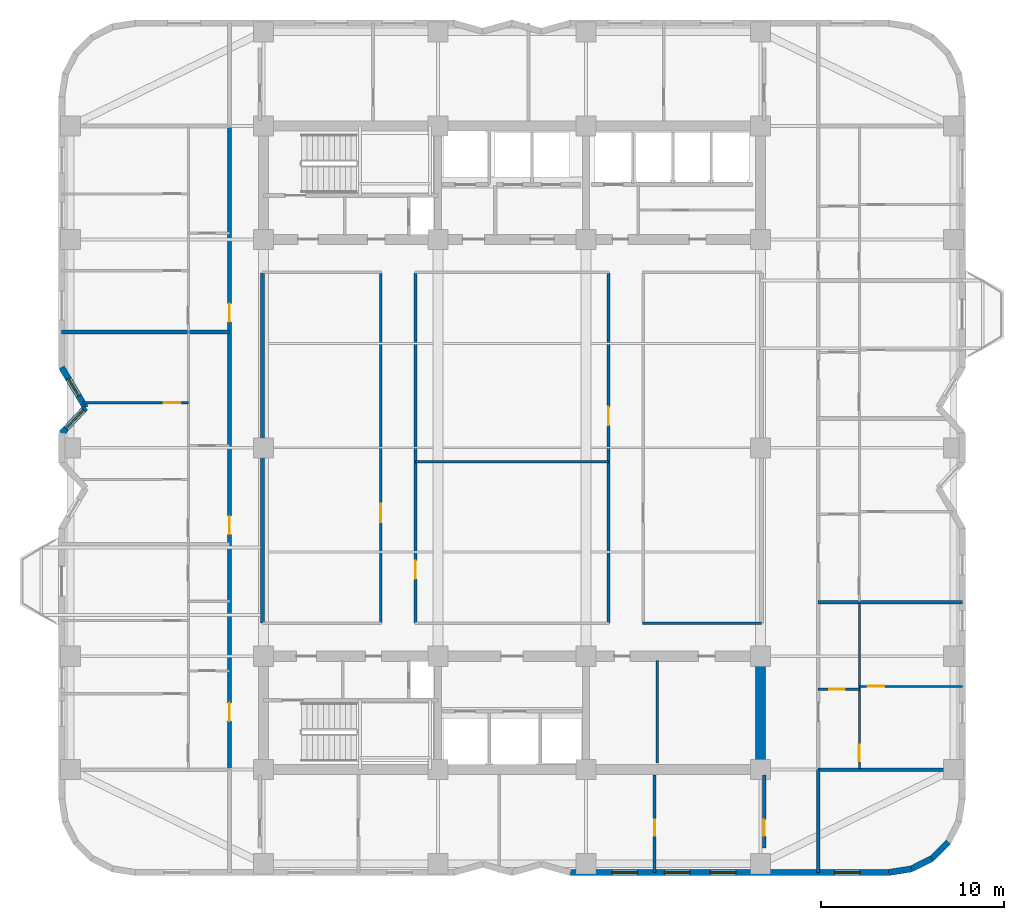
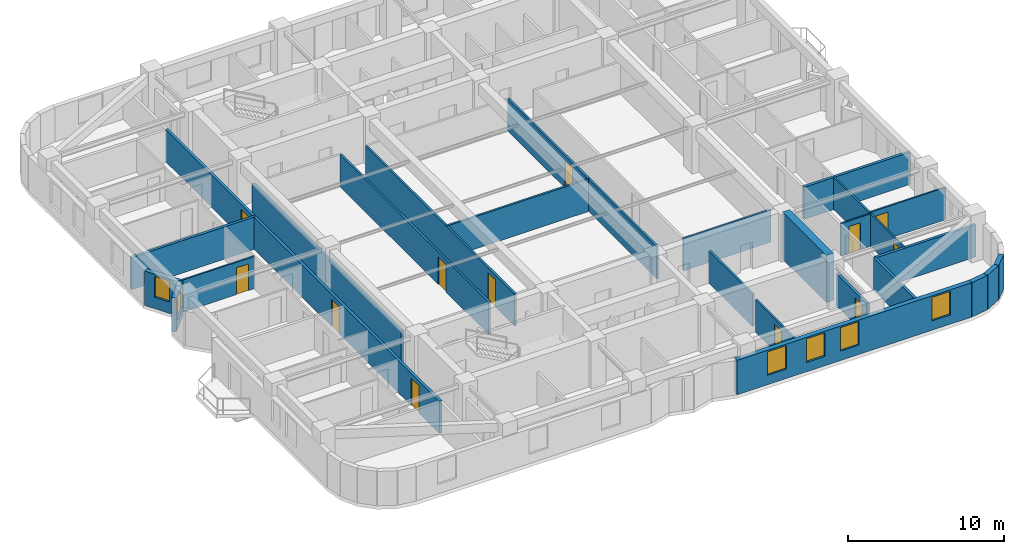
# One storey, part 4 of 10: 25 walls, 12 doors, 6 windows, 18 openings.
"""IFC4 building model written with IfcOpenShell, lengths in metres."""

from ifc_helpers import new_model, si_unit, direction, frame, frame_2d, origin, place, context, subcontext, project, spatial, rectangle, extrude, material, layer, layer_set, type_object, element, fill, save


model = new_model("IFC4")

# Units and contexts
model_context = context("Model", 3, precision=1e-05, world=origin(), true_north=direction((0.0, 1.0)))
body_context = subcontext(model_context, "Body", "Model", "MODEL_VIEW")
ifc_project = project(units=[si_unit("LENGTHUNIT", "METRE"), si_unit("AREAUNIT", "SQUARE_METRE"), si_unit("VOLUMEUNIT", "CUBIC_METRE"), si_unit("PLANEANGLEUNIT", "RADIAN"), si_unit("MASSUNIT", "GRAM", prefix="KILO")], contexts=[model_context])

# Site, building, storey
site_placement = place(None, origin())
site = spatial("IfcSite", under=ifc_project, at=site_placement, CompositionType="ELEMENT")
building_placement = place(site_placement, origin())
building = spatial("IfcBuilding", under=site, at=building_placement, Name="Svetorya Sky Lyceum", CompositionType="ELEMENT")
storey_placement = place(building_placement, frame((0.0, 0.0, 110.5)))
storey = spatial("IfcBuildingStorey", under=building, at=storey_placement, Name="L27", CompositionType="ELEMENT", Elevation=110.5)

# Wall
ifc_material_1 = material(Name="Concrete C60/75", Category="concrete")
ifc_layer_1 = layer(ifc_material_1, 0.550048828125)
ifc_layer_set_1 = layer_set([ifc_layer_1], Name="Concrete C60/75")
wall_type_1 = type_object("IfcWallType", Name="WL-CORE-550", PredefinedType="SHEAR", material=ifc_layer_set_1)
wall_1_placement = place(storey_placement, frame((52.800048828125, 10.875, 0.0), z_axis=(0.0, 0.0, 1.0), x_axis=(0.0, 1.0, 0.0)))
element("IfcWall", 1, at=wall_1_placement, inside=storey, type_object=wall_type_1, Name="L27 SC East Core Shear Wall", PredefinedType="SHEAR", context=body_context, shape_type="SweptSolid", body=[
    extrude(rectangle(XDim=5.64990234375, YDim=0.550048828125, at=frame_2d((2.824951171875, 0.0))), origin(), (0.0, 0.0, 1.0), 3.699951171875),
])

# Wall, openings, windows
ifc_material_2 = material(Name="Putilovo limestone rainscreen on autoclaved cellular masonry", Category="masonry")
ifc_layer_2 = layer(ifc_material_2, 0.340087890625)
ifc_layer_set_2 = layer_set([ifc_layer_2], Name="Putilovo limestone rainscreen on autoclaved cellular masonry")
wall_type_2 = type_object("IfcWallType", Name="WL-EXT-340", PredefinedType="SOLIDWALL", material=ifc_layer_set_2)
wall_2_placement = place(storey_placement, frame((42.39990234375, 4.969970703125, 0.0), z_axis=(0.0, 0.0, 1.0), x_axis=(1.0, 0.0, 0.0)))
wall_2 = element("IfcWall", 2, at=wall_2_placement, inside=storey, type_object=wall_type_2, Name="L27 Limestone Exterior Wall 11M", PredefinedType="SOLIDWALL", context=body_context, shape_type="SweptSolid", body=[
    extrude(rectangle(XDim=17.400146484375, YDim=0.340087890625, at=frame_2d((8.7001953125, 0.0))), origin(), (0.0, 0.0, 1.0), 2.699951171875),
])
opening_1_placement = place(wall_2_placement, frame((2.260009765625, 0.0, 0.72998046875)))
opening_1 = element("IfcOpeningElement", 3, at=opening_1_placement, cuts=wall_2, Name="Opening W-R2", PredefinedType="OPENING", context=body_context, shape_type="SweptSolid", body=[
    extrude(rectangle(XDim=1.39990234375, YDim=1.85009765625, at=frame_2d((0.699951171875, 0.925048828125))), frame((0.0, 0.179931640625, 0.0), z_axis=(0.0, -1.0, 0.0), x_axis=(1.0, 0.0, 0.0)), (0.0, 0.0, 1.0), 0.360107421875),
])
opening_2_placement = place(wall_2_placement, frame((5.1298828125, 0.0, 0.72998046875)))
opening_2 = element("IfcOpeningElement", 4, at=opening_2_placement, cuts=wall_2, Name="Opening W-R2", PredefinedType="OPENING", context=body_context, shape_type="SweptSolid", body=[
    extrude(rectangle(XDim=1.39990234375, YDim=1.85009765625, at=frame_2d((0.699951171875, 0.925048828125))), frame((0.0, 0.179931640625, 0.0), z_axis=(0.0, -1.0, 0.0), x_axis=(1.0, 0.0, 0.0)), (0.0, 0.0, 1.0), 0.360107421875),
])
opening_3_placement = place(wall_2_placement, frame((7.64990234375, 0.0, 0.72998046875)))
opening_3 = element("IfcOpeningElement", 5, at=opening_3_placement, cuts=wall_2, Name="Opening W-R2", PredefinedType="OPENING", context=body_context, shape_type="SweptSolid", body=[
    extrude(rectangle(XDim=1.39990234375, YDim=1.85009765625, at=frame_2d((0.699951171875, 0.925048828125))), frame((0.0, 0.179931640625, 0.0), z_axis=(0.0, -1.0, 0.0), x_axis=(1.0, 0.0, 0.0)), (0.0, 0.0, 1.0), 0.360107421875),
])
opening_4_placement = place(wall_2_placement, frame((14.43994140625, 0.0, 0.72998046875)))
opening_4 = element("IfcOpeningElement", 6, at=opening_4_placement, cuts=wall_2, Name="Opening W-R2", PredefinedType="OPENING", context=body_context, shape_type="SweptSolid", body=[
    extrude(rectangle(XDim=1.39990234375, YDim=1.85009765625, at=frame_2d((0.699951171875, 0.925048828125))), frame((0.0, 0.179931640625, 0.0), z_axis=(0.0, -1.0, 0.0), x_axis=(1.0, 0.0, 0.0)), (0.0, 0.0, 1.0), 0.360107421875),
])
ifc_material_3 = material(Name="Thermally broken aluminium frame with triple low-E glazing", Category="aluminium")
window_type_1 = type_object("IfcWindowType", Name="WN-RES-140", PartitioningType="SINGLE_PANEL", PredefinedType="WINDOW", material=ifc_material_3)
window_1_placement = place(opening_1_placement, origin())
window_1 = element("IfcWindow", 7, at=window_1_placement, inside=storey, type_object=window_type_1, Name="L27 Facade Window W-R2.11M.1", OverallHeight=1.85009765625, OverallWidth=1.39990234375, PartitioningType="SINGLE_PANEL", PredefinedType="WINDOW", context=body_context, shape_type="SweptSolid", body=[
    extrude(rectangle(XDim=1.39990234375, YDim=1.85009765625, at=frame_2d((0.699951171875, 0.925048828125))), frame((0.0, 0.030029296875, 0.0), z_axis=(0.0, -1.0, 0.0), x_axis=(1.0, 0.0, 0.0)), (0.0, 0.0, 1.0), 0.06005859375),
])
fill(opening_1, window_1)
window_2_placement = place(opening_2_placement, origin())
window_2 = element("IfcWindow", 8, at=window_2_placement, inside=storey, type_object=window_type_1, Name="L27 Facade Window W-R2.11M.2", OverallHeight=1.85009765625, OverallWidth=1.39990234375, PartitioningType="SINGLE_PANEL", PredefinedType="WINDOW", context=body_context, shape_type="SweptSolid", body=[
    extrude(rectangle(XDim=1.39990234375, YDim=1.85009765625, at=frame_2d((0.699951171875, 0.925048828125))), frame((0.0, 0.030029296875, 0.0), z_axis=(0.0, -1.0, 0.0), x_axis=(1.0, 0.0, 0.0)), (0.0, 0.0, 1.0), 0.06005859375),
])
fill(opening_2, window_2)
window_3_placement = place(opening_3_placement, origin())
window_3 = element("IfcWindow", 9, at=window_3_placement, inside=storey, type_object=window_type_1, Name="L27 Facade Window W-R2.11M.3", OverallHeight=1.85009765625, OverallWidth=1.39990234375, PartitioningType="SINGLE_PANEL", PredefinedType="WINDOW", context=body_context, shape_type="SweptSolid", body=[
    extrude(rectangle(XDim=1.39990234375, YDim=1.85009765625, at=frame_2d((0.699951171875, 0.925048828125))), frame((0.0, 0.030029296875, 0.0), z_axis=(0.0, -1.0, 0.0), x_axis=(1.0, 0.0, 0.0)), (0.0, 0.0, 1.0), 0.06005859375),
])
fill(opening_3, window_3)
window_4_placement = place(opening_4_placement, origin())
window_4 = element("IfcWindow", 10, at=window_4_placement, inside=storey, type_object=window_type_1, Name="L27 Facade Window W-R2.11M.4", OverallHeight=1.85009765625, OverallWidth=1.39990234375, PartitioningType="SINGLE_PANEL", PredefinedType="WINDOW", context=body_context, shape_type="SweptSolid", body=[
    extrude(rectangle(XDim=1.39990234375, YDim=1.85009765625, at=frame_2d((0.699951171875, 0.925048828125))), frame((0.0, 0.030029296875, 0.0), z_axis=(0.0, -1.0, 0.0), x_axis=(1.0, 0.0, 0.0)), (0.0, 0.0, 1.0), 0.06005859375),
])
fill(opening_4, window_4)

# Walls
wall_3_placement = place(storey_placement, frame((59.800048828125, 4.969970703125, 0.0), z_axis=(0.0, 0.0, 1.0), x_axis=(0.987685918112, 0.15644975923, 0.0)))
element("IfcWall", 11, at=wall_3_placement, inside=storey, type_object=wall_type_2, Name="L27 Limestone Exterior Wall 12M", PredefinedType="SOLIDWALL", context=body_context, shape_type="SweptSolid", body=[
    extrude(rectangle(XDim=1.260986328125, YDim=0.340087890625, at=frame_2d((0.63037109375, 0.0))), origin(), (0.0, 0.0, 1.0), 2.699951171875),
])
for number, where, z_axis, x_axis, name in (
    (12, (61.04541015625, 5.167236328125, 0.0), (0.0, 0.0, 1.0), (0.890953769915, 0.454094020963, 0.0), "L27 Limestone Exterior Wall 13M"),
    (13, (62.168701171875, 5.73974609375, 0.0), (0.0, 0.0, 1.0), (0.707203598708, 0.707009950407, 0.0), "L27 Limestone Exterior Wall 14M"),
):
    element("IfcWall", number, at=place(storey_placement, frame(where, z_axis=z_axis, x_axis=x_axis)), inside=storey, type_object=wall_type_2, Name=name, PredefinedType="SOLIDWALL", context=body_context, shape_type="SweptSolid", body=[
        extrude(rectangle(XDim=1.2607421875, YDim=0.340087890625, at=frame_2d((0.63037109375, 0.0))), origin(), (0.0, 0.0, 1.0), 2.699951171875),
    ])

# Wall, opening, window
wall_4_placement = place(storey_placement, frame((14.570068359375, 32.60009765625, 0.0), z_axis=(0.0, 0.0, 1.0), x_axis=(0.508710000703, -0.860937939218, 0.0)))
wall_4 = element("IfcWall", 14, at=wall_4_placement, inside=storey, type_object=wall_type_2, Name="L27 Limestone Exterior Wall 41M", PredefinedType="SOLIDWALL", context=body_context, shape_type="SweptSolid", body=[
    extrude(rectangle(XDim=2.5556640625, YDim=0.340087890625, at=frame_2d((1.27783203125, 0.0))), origin(), (0.0, 0.0, 1.0), 2.699951171875),
])
opening_5_placement = place(wall_4_placement, frame((0.727783203125, 0.0, 0.889892578125)))
opening_5 = element("IfcOpeningElement", 15, at=opening_5_placement, cuts=wall_4, Name="Opening W-R3", PredefinedType="OPENING", context=body_context, shape_type="SweptSolid", body=[
    extrude(rectangle(XDim=1.10009765625, YDim=1.64990234375, at=frame_2d((0.550048828125, 0.824951171875))), frame((0.0, 0.179931640625, 0.0), z_axis=(0.0, -1.0, 0.0), x_axis=(1.0, 0.0, 0.0)), (0.0, 0.0, 1.0), 0.360107421875),
])
window_type_2 = type_object("IfcWindowType", Name="WN-RES-110", PartitioningType="SINGLE_PANEL", PredefinedType="WINDOW", material=ifc_material_3)
window_5_placement = place(opening_5_placement, origin())
window_5 = element("IfcWindow", 16, at=window_5_placement, inside=storey, type_object=window_type_2, Name="L27 Facade Window W-R3.41M.1", OverallHeight=1.64990234375, OverallWidth=1.10009765625, PartitioningType="SINGLE_PANEL", PredefinedType="WINDOW", context=body_context, shape_type="SweptSolid", body=[
    extrude(rectangle(XDim=1.10009765625, YDim=1.64990234375, at=frame_2d((0.550048828125, 0.824951171875))), frame((0.0, 0.030029296875, 0.0), z_axis=(0.0, -1.0, 0.0), x_axis=(1.0, 0.0, 0.0)), (0.0, 0.0, 1.0), 0.06005859375),
])
fill(opening_5, window_5)

wall_5_placement = place(storey_placement, frame((15.8701171875, 30.39990234375, 0.0), z_axis=(0.0, 0.0, 1.0), x_axis=(-0.68049031116, -0.732757078722, 0.0)))
wall_5 = element("IfcWall", 17, at=wall_5_placement, inside=storey, type_object=wall_type_2, Name="L27 Limestone Exterior Wall 42M", PredefinedType="SOLIDWALL", context=body_context, shape_type="SweptSolid", body=[
    extrude(rectangle(XDim=1.910400390625, YDim=0.340087890625, at=frame_2d((0.955078125, 0.0))), origin(), (0.0, 0.0, 1.0), 2.699951171875),
])
opening_6_placement = place(wall_5_placement, frame((0.159912109375, 0.0, 0.68994140625)))
opening_6 = element("IfcOpeningElement", 18, at=opening_6_placement, cuts=wall_5, Name="Opening W-R2", PredefinedType="OPENING", context=body_context, shape_type="SweptSolid", body=[
    extrude(rectangle(XDim=1.39990234375, YDim=1.85009765625, at=frame_2d((0.699951171875, 0.925048828125))), frame((0.0, 0.179931640625, 0.0), z_axis=(0.0, -1.0, 0.0), x_axis=(1.0, 0.0, 0.0)), (0.0, 0.0, 1.0), 0.360107421875),
])
window_6_placement = place(opening_6_placement, origin())
window_6 = element("IfcWindow", 19, at=window_6_placement, inside=storey, type_object=window_type_1, Name="L27 Facade Window W-R2.42M.1", OverallHeight=1.85009765625, OverallWidth=1.39990234375, PartitioningType="SINGLE_PANEL", PredefinedType="WINDOW", context=body_context, shape_type="SweptSolid", body=[
    extrude(rectangle(XDim=1.39990234375, YDim=1.85009765625, at=frame_2d((0.699951171875, 0.925048828125))), frame((0.0, 0.030029296875, 0.0), z_axis=(0.0, -1.0, 0.0), x_axis=(1.0, 0.0, 0.0)), (0.0, 0.0, 1.0), 0.06005859375),
])
fill(opening_6, window_6)

# Wall, opening, door
ifc_material_4 = material(Name="Twin-stud galvanized framing with double fireboard", Category="gypsum")
ifc_layer_3 = layer(ifc_material_4, 0.1201171875)
ifc_layer_set_3 = layer_set([ifc_layer_3], Name="Twin-stud galvanized framing with double fireboard")
wall_type_3 = type_object("IfcWallType", Name="WL-PART-120", PredefinedType="PARTITIONING", material=ifc_layer_set_3)
wall_6_placement = place(storey_placement, frame((15.71044921875, 30.669921875, 0.0), z_axis=(0.0, 0.0, 1.0), x_axis=(1.0, 0.0, 0.0)))
wall_6 = element("IfcWall", 20, at=wall_6_placement, inside=storey, type_object=wall_type_3, Name="L27 Interior Partition W2-WL2", PredefinedType="PARTITIONING", context=body_context, shape_type="SweptSolid", body=[
    extrude(rectangle(XDim=5.78955078125, YDim=0.1201171875, at=frame_2d((2.894775390625, 0.0))), origin(), (0.0, 0.0, 1.0), 2.530029296875),
])
opening_7_placement = place(wall_6_placement, frame((4.439453125, 0.0, 0.0)))
opening_7 = element("IfcOpeningElement", 21, at=opening_7_placement, cuts=wall_6, Name="Opening D-RM1", PredefinedType="OPENING", context=body_context, shape_type="SweptSolid", body=[
    extrude(rectangle(XDim=0.89990234375, YDim=2.10009765625, at=frame_2d((0.449951171875, 1.050048828125))), frame((0.0, 0.070068359375, 0.0), z_axis=(0.0, -1.0, 0.0), x_axis=(1.0, 0.0, 0.0)), (0.0, 0.0, 1.0), 0.14013671875),
])
ifc_material_5 = material(Name="Lacquered birch veneer internal door")
door_type_1 = type_object("IfcDoorType", Name="DR-INT-900", OperationType="SINGLE_SWING_LEFT", PredefinedType="DOOR", material=ifc_material_5)
door_1_placement = place(opening_7_placement, origin())
door_1 = element("IfcDoor", 22, at=door_1_placement, inside=storey, type_object=door_type_1, Name="Apartment W2 Bedroom 2 Door", OperationType="SINGLE_SWING_LEFT", OverallHeight=2.10009765625, OverallWidth=0.89990234375, PredefinedType="DOOR", context=body_context, shape_type="SweptSolid", body=[
    extrude(rectangle(XDim=0.89990234375, YDim=2.10009765625, at=frame_2d((0.449951171875, 1.050048828125))), frame((0.0, 0.02490234375, 0.0), z_axis=(0.0, -1.0, 0.0), x_axis=(1.0, 0.0, 0.0)), (0.0, 0.0, 1.0), 0.050048828125),
])
fill(opening_7, door_1)

wall_7_placement = place(storey_placement, frame((55.949951171875, 14.989990234375, 0.0), z_axis=(0.0, 0.0, 1.0), x_axis=(1.0, 0.0, 0.0)))
wall_7 = element("IfcWall", 23, at=wall_7_placement, inside=storey, type_object=wall_type_3, Name="L27 Interior Partition E1-WH1", PredefinedType="PARTITIONING", context=body_context, shape_type="SweptSolid", body=[
    extrude(rectangle(XDim=2.25, YDim=0.1201171875, at=frame_2d((1.125, 0.0))), origin(), (0.0, 0.0, 1.0), 2.530029296875),
])
opening_8_placement = place(wall_7_placement, frame((0.60009765625, 0.0, 0.0)))
opening_8 = element("IfcOpeningElement", 24, at=opening_8_placement, cuts=wall_7, Name="Opening D-BT1", PredefinedType="OPENING", context=body_context, shape_type="SweptSolid", body=[
    extrude(rectangle(XDim=0.85009765625, YDim=2.10009765625, at=frame_2d((0.425048828125, 1.050048828125))), frame((0.0, 0.070068359375, 0.0), z_axis=(0.0, -1.0, 0.0), x_axis=(1.0, 0.0, 0.0)), (0.0, 0.0, 1.0), 0.14013671875),
])
ifc_material_6 = material(Name="Moisture-resistant laminate bathroom door")
door_type_2 = type_object("IfcDoorType", Name="DR-WET-850", OperationType="SINGLE_SWING_LEFT", PredefinedType="DOOR", material=ifc_material_6)
door_2_placement = place(opening_8_placement, origin())
door_2 = element("IfcDoor", 25, at=door_2_placement, inside=storey, type_object=door_type_2, Name="Apartment E1 Bathroom Door", OperationType="SINGLE_SWING_RIGHT", OverallHeight=2.10009765625, OverallWidth=0.85009765625, PredefinedType="DOOR", context=body_context, shape_type="SweptSolid", body=[
    extrude(rectangle(XDim=0.85009765625, YDim=2.10009765625, at=frame_2d((0.425048828125, 1.050048828125))), frame((0.0, 0.02490234375, 0.0), z_axis=(0.0, -1.0, 0.0), x_axis=(1.0, 0.0, 0.0)), (0.0, 0.0, 1.0), 0.050048828125),
])
fill(opening_8, door_2)

wall_8_placement = place(storey_placement, frame((58.199951171875, 15.14990234375, 0.0), z_axis=(0.0, 0.0, 1.0), x_axis=(1.0, 0.0, 0.0)))
wall_8 = element("IfcWall", 26, at=wall_8_placement, inside=storey, type_object=wall_type_3, Name="L27 Interior Partition E1-WL1", PredefinedType="PARTITIONING", context=body_context, shape_type="SweptSolid", body=[
    extrude(rectangle(XDim=5.630126953125, YDim=0.1201171875, at=frame_2d((2.81494140625, 0.0))), origin(), (0.0, 0.0, 1.0), 2.530029296875),
])
opening_9_placement = place(wall_8_placement, frame((0.449951171875, 0.0, 0.0)))
opening_9 = element("IfcOpeningElement", 27, at=opening_9_placement, cuts=wall_8, Name="Opening D-RM1", PredefinedType="OPENING", context=body_context, shape_type="SweptSolid", body=[
    extrude(rectangle(XDim=0.89990234375, YDim=2.10009765625, at=frame_2d((0.449951171875, 1.050048828125))), frame((0.0, 0.070068359375, 0.0), z_axis=(0.0, -1.0, 0.0), x_axis=(1.0, 0.0, 0.0)), (0.0, 0.0, 1.0), 0.14013671875),
])
door_3_placement = place(opening_9_placement, origin())
door_3 = element("IfcDoor", 28, at=door_3_placement, inside=storey, type_object=door_type_1, Name="Apartment E1 Bedroom 1 Door", OperationType="SINGLE_SWING_RIGHT", OverallHeight=2.10009765625, OverallWidth=0.89990234375, PredefinedType="DOOR", context=body_context, shape_type="SweptSolid", body=[
    extrude(rectangle(XDim=0.89990234375, YDim=2.10009765625, at=frame_2d((0.449951171875, 1.050048828125))), frame((0.0, 0.02490234375, 0.0), z_axis=(0.0, -1.0, 0.0), x_axis=(1.0, 0.0, 0.0)), (0.0, 0.0, 1.0), 0.050048828125),
])
fill(opening_9, door_3)

wall_9_placement = place(storey_placement, frame((58.199951171875, 10.639892578125, 0.0), z_axis=(0.0, 0.0, 1.0), x_axis=(0.0, 1.0, 0.0)))
wall_9 = element("IfcWall", 29, at=wall_9_placement, inside=storey, type_object=wall_type_3, Name="L27 Interior Partition E1-WV", PredefinedType="PARTITIONING", context=body_context, shape_type="SweptSolid", body=[
    extrude(rectangle(XDim=9.072021484375, YDim=0.1201171875, at=frame_2d((4.5361328125, 0.0))), origin(), (0.0, 0.0, 1.0), 2.530029296875),
])
opening_10_placement = place(wall_9_placement, frame((0.409912109375, 0.0, 0.0)))
opening_10 = element("IfcOpeningElement", 30, at=opening_10_placement, cuts=wall_9, Name="Opening D-RM1", PredefinedType="OPENING", context=body_context, shape_type="SweptSolid", body=[
    extrude(rectangle(XDim=0.89990234375, YDim=2.10009765625, at=frame_2d((0.449951171875, 1.050048828125))), frame((0.0, 0.070068359375, 0.0), z_axis=(0.0, -1.0, 0.0), x_axis=(1.0, 0.0, 0.0)), (0.0, 0.0, 1.0), 0.14013671875),
])
door_4_placement = place(opening_10_placement, origin())
door_4 = element("IfcDoor", 31, at=door_4_placement, inside=storey, type_object=door_type_1, Name="Apartment E1 Living Door", OperationType="SINGLE_SWING_LEFT", OverallHeight=2.10009765625, OverallWidth=0.89990234375, PredefinedType="DOOR", context=body_context, shape_type="SweptSolid", body=[
    extrude(rectangle(XDim=0.89990234375, YDim=2.10009765625, at=frame_2d((0.449951171875, 1.050048828125))), frame((0.0, 0.02490234375, 0.0), z_axis=(0.0, -1.0, 0.0), x_axis=(1.0, 0.0, 0.0)), (0.0, 0.0, 1.0), 0.050048828125),
])
fill(opening_10, door_4)

# Walls
ifc_material_7 = material(Name="Autoclaved cellular masonry blockwork with acoustic render", Category="masonry")
ifc_layer_4 = layer(ifc_material_7, 0.14990234375)
ifc_layer_set_4 = layer_set([ifc_layer_4], Name="Autoclaved cellular masonry blockwork with acoustic render")
wall_type_4 = type_object("IfcWallType", Name="WL-PART-150", PredefinedType="PARTITIONING", material=ifc_layer_set_4)
wall_10_placement = place(storey_placement, frame((47.14990234375, 10.949951171875, 0.0), z_axis=(0.0, 0.0, 1.0), x_axis=(0.0, 1.0, 0.0)))
element("IfcWall", 32, at=wall_10_placement, inside=storey, type_object=wall_type_4, Name="L27 Interior Partition SC-LV7-VA", PredefinedType="PARTITIONING", context=body_context, shape_type="SweptSolid", body=[
    extrude(rectangle(XDim=5.630126953125, YDim=0.14990234375, at=frame_2d((2.81494140625, 0.0))), origin(), (0.0, 0.0, 1.0), 2.530029296875),
])
wall_11_placement = place(storey_placement, frame((46.35009765625, 18.60009765625, 0.0), z_axis=(0.0, 0.0, 1.0), x_axis=(1.0, 0.0, 0.0)))
element("IfcWall", 33, at=wall_11_placement, inside=storey, type_object=wall_type_4, Name="L27 Interior Partition RL-CS-E", PredefinedType="PARTITIONING", context=body_context, shape_type="SweptSolid", body=[
    extrude(rectangle(XDim=6.5, YDim=0.14990234375, at=frame_2d((3.25, 0.0))), origin(), (0.0, 0.0, 1.0), 2.530029296875),
])
wall_12_placement = place(storey_placement, frame((33.919921875, 27.434326171875, 0.0), z_axis=(0.0, 0.0, 1.0), x_axis=(1.0, 0.0, 0.0)))
element("IfcWall", 34, at=wall_12_placement, inside=storey, type_object=wall_type_4, Name="L27 Interior Partition ISL-HM0", PredefinedType="PARTITIONING", context=body_context, shape_type="SweptSolid", body=[
    extrude(rectangle(XDim=10.56005859375, YDim=0.14990234375, at=frame_2d((5.280029296875, 0.0))), origin(), (0.0, 0.0, 1.0), 2.530029296875),
])

# Wall, opening, door
wall_13_placement = place(storey_placement, frame((32.02001953125, 18.6298828125, 0.0), z_axis=(0.0, 0.0, 1.0), x_axis=(0.0, 1.0, 0.0)))
wall_13 = element("IfcWall", 35, at=wall_13_placement, inside=storey, type_object=wall_type_4, Name="L27 Interior Partition ISL-WW", PredefinedType="PARTITIONING", context=body_context, shape_type="SweptSolid", body=[
    extrude(rectangle(XDim=19.14013671875, YDim=0.14990234375, at=frame_2d((9.570068359375, 0.0))), origin(), (0.0, 0.0, 1.0), 2.530029296875),
])
opening_11_placement = place(wall_13_placement, frame((5.5, 0.0, 0.0)))
opening_11 = element("IfcOpeningElement", 36, at=opening_11_placement, cuts=wall_13, Name="Opening D-RM2", PredefinedType="OPENING", context=body_context, shape_type="SweptSolid", body=[
    extrude(rectangle(XDim=1.0, YDim=2.14990234375, at=frame_2d((0.5, 1.074951171875))), frame((0.0, 0.0849609375, 0.0), z_axis=(0.0, -1.0, 0.0), x_axis=(1.0, 0.0, 0.0)), (0.0, 0.0, 1.0), 0.169921875),
])
ifc_material_8 = material(Name="Solid-core oak acoustic room door")
door_type_3 = type_object("IfcDoorType", Name="DR-INT-1000", OperationType="SINGLE_SWING_LEFT", PredefinedType="DOOR", material=ifc_material_8)
door_5_placement = place(opening_11_placement, origin())
door_5 = element("IfcDoor", 37, at=door_5_placement, inside=storey, type_object=door_type_3, Name="L27 West Office Door", OperationType="SINGLE_SWING_LEFT", OverallHeight=2.14990234375, OverallWidth=1.0, PredefinedType="DOOR", context=body_context, shape_type="SweptSolid", body=[
    extrude(rectangle(XDim=1.0, YDim=2.14990234375, at=frame_2d((0.5, 1.074951171875))), frame((0.0, 0.02490234375, 0.0), z_axis=(0.0, -1.0, 0.0), x_axis=(1.0, 0.0, 0.0)), (0.0, 0.0, 1.0), 0.050048828125),
])
fill(opening_11, door_5)

wall_14_placement = place(storey_placement, frame((33.919921875, 18.6298828125, 0.0), z_axis=(0.0, 0.0, 1.0), x_axis=(0.0, 1.0, 0.0)))
wall_14 = element("IfcWall", 38, at=wall_14_placement, inside=storey, type_object=wall_type_4, Name="L27 Interior Partition ISL-WE", PredefinedType="PARTITIONING", context=body_context, shape_type="SweptSolid", body=[
    extrude(rectangle(XDim=19.14013671875, YDim=0.14990234375, at=frame_2d((9.570068359375, 0.0))), origin(), (0.0, 0.0, 1.0), 2.530029296875),
])
opening_12_placement = place(wall_14_placement, frame((2.39990234375, 0.0, 0.0)))
opening_12 = element("IfcOpeningElement", 39, at=opening_12_placement, cuts=wall_14, Name="Opening D-RM2", PredefinedType="OPENING", context=body_context, shape_type="SweptSolid", body=[
    extrude(rectangle(XDim=1.0, YDim=2.14990234375, at=frame_2d((0.5, 1.074951171875))), frame((0.0, 0.0849609375, 0.0), z_axis=(0.0, -1.0, 0.0), x_axis=(1.0, 0.0, 0.0)), (0.0, 0.0, 1.0), 0.169921875),
])
door_6_placement = place(opening_12_placement, origin())
door_6 = element("IfcDoor", 40, at=door_6_placement, inside=storey, type_object=door_type_3, Name="L27 Seminar Door", OperationType="SINGLE_SWING_RIGHT", OverallHeight=2.14990234375, OverallWidth=1.0, PredefinedType="DOOR", context=body_context, shape_type="SweptSolid", body=[
    extrude(rectangle(XDim=1.0, YDim=2.14990234375, at=frame_2d((0.5, 1.074951171875))), frame((0.0, 0.02490234375, 0.0), z_axis=(0.0, -1.0, 0.0), x_axis=(1.0, 0.0, 0.0)), (0.0, 0.0, 1.0), 0.050048828125),
])
fill(opening_12, door_6)

wall_15_placement = place(storey_placement, frame((44.47998046875, 18.6298828125, 0.0), z_axis=(0.0, 0.0, 1.0), x_axis=(0.0, 1.0, 0.0)))
wall_15 = element("IfcWall", 41, at=wall_15_placement, inside=storey, type_object=wall_type_4, Name="L27 Interior Partition ISL-EW", PredefinedType="PARTITIONING", context=body_context, shape_type="SweptSolid", body=[
    extrude(rectangle(XDim=19.14013671875, YDim=0.14990234375, at=frame_2d((9.570068359375, 0.0))), origin(), (0.0, 0.0, 1.0), 2.530029296875),
])
opening_13_placement = place(wall_15_placement, frame((10.804443359375, 0.0, 0.0)))
opening_13 = element("IfcOpeningElement", 42, at=opening_13_placement, cuts=wall_15, Name="Opening D-RM2", PredefinedType="OPENING", context=body_context, shape_type="SweptSolid", body=[
    extrude(rectangle(XDim=1.0, YDim=2.14990234375, at=frame_2d((0.5, 1.074951171875))), frame((0.0, 0.0849609375, 0.0), z_axis=(0.0, -1.0, 0.0), x_axis=(1.0, 0.0, 0.0)), (0.0, 0.0, 1.0), 0.169921875),
])
door_7_placement = place(opening_13_placement, origin())
door_7 = element("IfcDoor", 43, at=door_7_placement, inside=storey, type_object=door_type_3, Name="L27 Recreation Door", OperationType="SINGLE_SWING_LEFT", OverallHeight=2.14990234375, OverallWidth=1.0, PredefinedType="DOOR", context=body_context, shape_type="SweptSolid", body=[
    extrude(rectangle(XDim=1.0, YDim=2.14990234375, at=frame_2d((0.5, 1.074951171875))), frame((0.0, 0.02490234375, 0.0), z_axis=(0.0, -1.0, 0.0), x_axis=(1.0, 0.0, 0.0)), (0.0, 0.0, 1.0), 0.050048828125),
])
fill(opening_13, door_7)

wall_16_placement = place(storey_placement, frame((47.0, 4.969970703125, 0.0), z_axis=(0.0, 0.0, 1.0), x_axis=(0.0, 1.0, 0.0)))
wall_16 = element("IfcWall", 44, at=wall_16_placement, inside=storey, type_object=wall_type_4, Name="L27 Interior Partition S4-D3", PredefinedType="PARTITIONING", context=body_context, shape_type="SweptSolid", body=[
    extrude(rectangle(XDim=5.330078125, YDim=0.14990234375, at=frame_2d((2.6650390625, 0.0))), origin(), (0.0, 0.0, 1.0), 2.530029296875),
])
opening_14_placement = place(wall_16_placement, frame((2.0, 0.0, 0.0)))
opening_14 = element("IfcOpeningElement", 45, at=opening_14_placement, cuts=wall_16, Name="Opening D-RM1", PredefinedType="OPENING", context=body_context, shape_type="SweptSolid", body=[
    extrude(rectangle(XDim=0.89990234375, YDim=2.10009765625, at=frame_2d((0.449951171875, 1.050048828125))), frame((0.0, 0.0849609375, 0.0), z_axis=(0.0, -1.0, 0.0), x_axis=(1.0, 0.0, 0.0)), (0.0, 0.0, 1.0), 0.169921875),
])
door_8_placement = place(opening_14_placement, origin())
door_8 = element("IfcDoor", 46, at=door_8_placement, inside=storey, type_object=door_type_1, Name="L27 South Suite Door 3", OperationType="SINGLE_SWING_LEFT", OverallHeight=2.10009765625, OverallWidth=0.89990234375, PredefinedType="DOOR", context=body_context, shape_type="SweptSolid", body=[
    extrude(rectangle(XDim=0.89990234375, YDim=2.10009765625, at=frame_2d((0.449951171875, 1.050048828125))), frame((0.0, 0.02490234375, 0.0), z_axis=(0.0, -1.0, 0.0), x_axis=(1.0, 0.0, 0.0)), (0.0, 0.0, 1.0), 0.050048828125),
])
fill(opening_14, door_8)

# Walls
ifc_material_9 = material(Name="Autoclaved cellular masonry blockwork with gypsum plaster", Category="masonry")
ifc_layer_5 = layer(ifc_material_9, 0.199951171875)
ifc_layer_set_5 = layer_set([ifc_layer_5], Name="Autoclaved cellular masonry blockwork with gypsum plaster")
wall_type_5 = type_object("IfcWallType", Name="WL-PART-200", PredefinedType="PARTITIONING", material=ifc_layer_set_5)
wall_17_placement = place(storey_placement, frame((25.550048828125, 18.6298828125, 0.0), z_axis=(0.0, 0.0, 1.0), x_axis=(0.0, 1.0, 0.0)))
element("IfcWall", 47, at=wall_17_placement, inside=storey, type_object=wall_type_5, Name="L27 Interior Partition W-CEN-SEP", PredefinedType="PARTITIONING", context=body_context, shape_type="SweptSolid", body=[
    extrude(rectangle(XDim=19.14013671875, YDim=0.199951171875, at=frame_2d((9.570068359375, 0.0))), origin(), (0.0, 0.0, 1.0), 2.530029296875),
])
wall_18_placement = place(storey_placement, frame((14.570068359375, 34.535888671875, 0.0), z_axis=(0.0, 0.0, 1.0), x_axis=(1.0, 0.0, 0.0)))
element("IfcWall", 48, at=wall_18_placement, inside=storey, type_object=wall_type_5, Name="L27 Interior Partition W-PARTY-2", PredefinedType="PARTITIONING", context=body_context, shape_type="SweptSolid", body=[
    extrude(rectangle(XDim=9.179931640625, YDim=0.199951171875, at=frame_2d((4.58984375, 0.0))), origin(), (0.0, 0.0, 1.0), 2.530029296875),
])

# Wall, openings, doors
wall_19_placement = place(storey_placement, frame((23.75, 10.60009765625, 0.0), z_axis=(0.0, 0.0, 1.0), x_axis=(0.0, 1.0, 0.0)))
wall_19 = element("IfcWall", 49, at=wall_19_placement, inside=storey, type_object=wall_type_5, Name="L27 Interior Partition W-CORRW", PredefinedType="PARTITIONING", context=body_context, shape_type="SweptSolid", body=[
    extrude(rectangle(XDim=35.199951171875, YDim=0.199951171875, at=frame_2d((17.60009765625, 0.0))), origin(), (0.0, 0.0, 1.0), 2.530029296875),
])
opening_15_placement = place(wall_19_placement, frame((2.64990234375, 0.0, 0.0)))
opening_15 = element("IfcOpeningElement", 50, at=opening_15_placement, cuts=wall_19, Name="Opening D-APT1", PredefinedType="OPENING", context=body_context, shape_type="SweptSolid", body=[
    extrude(rectangle(XDim=1.0, YDim=2.14990234375, at=frame_2d((0.5, 1.074951171875))), frame((0.0, 0.10986328125, 0.0), z_axis=(0.0, -1.0, 0.0), x_axis=(1.0, 0.0, 0.0)), (0.0, 0.0, 1.0), 0.219970703125),
])
opening_16_placement = place(wall_19_placement, frame((12.8701171875, 0.0, 0.0)))
opening_16 = element("IfcOpeningElement", 51, at=opening_16_placement, cuts=wall_19, Name="Opening D-APT1", PredefinedType="OPENING", context=body_context, shape_type="SweptSolid", body=[
    extrude(rectangle(XDim=1.0, YDim=2.14990234375, at=frame_2d((0.5, 1.074951171875))), frame((0.0, 0.10986328125, 0.0), z_axis=(0.0, -1.0, 0.0), x_axis=(1.0, 0.0, 0.0)), (0.0, 0.0, 1.0), 0.219970703125),
])
opening_17_placement = place(wall_19_placement, frame((24.486083984375, 0.0, 0.0)))
opening_17 = element("IfcOpeningElement", 52, at=opening_17_placement, cuts=wall_19, Name="Opening D-APT1", PredefinedType="OPENING", context=body_context, shape_type="SweptSolid", body=[
    extrude(rectangle(XDim=1.0, YDim=2.14990234375, at=frame_2d((0.5, 1.074951171875))), frame((0.0, 0.10986328125, 0.0), z_axis=(0.0, -1.0, 0.0), x_axis=(1.0, 0.0, 0.0)), (0.0, 0.0, 1.0), 0.219970703125),
])
ifc_material_10 = material(Name="Insulated oak-veneered apartment entrance door")
door_type_4 = type_object("IfcDoorType", Name="DR-APT-1000", OperationType="SINGLE_SWING_LEFT", PredefinedType="DOOR", material=ifc_material_10)
door_9_placement = place(opening_15_placement, origin())
door_9 = element("IfcDoor", 53, at=door_9_placement, inside=storey, type_object=door_type_4, Name="L27 Apartment W1 Entrance Door", OperationType="SINGLE_SWING_LEFT", OverallHeight=2.14990234375, OverallWidth=1.0, PredefinedType="DOOR", context=body_context, shape_type="SweptSolid", body=[
    extrude(rectangle(XDim=1.0, YDim=2.14990234375, at=frame_2d((0.5, 1.074951171875))), frame((0.0, 0.02490234375, 0.0), z_axis=(0.0, -1.0, 0.0), x_axis=(1.0, 0.0, 0.0)), (0.0, 0.0, 1.0), 0.050048828125),
])
fill(opening_15, door_9)
door_10_placement = place(opening_16_placement, origin())
door_10 = element("IfcDoor", 54, at=door_10_placement, inside=storey, type_object=door_type_4, Name="L27 Apartment W2 Entrance Door", OperationType="SINGLE_SWING_RIGHT", OverallHeight=2.14990234375, OverallWidth=1.0, PredefinedType="DOOR", context=body_context, shape_type="SweptSolid", body=[
    extrude(rectangle(XDim=1.0, YDim=2.14990234375, at=frame_2d((0.5, 1.074951171875))), frame((0.0, 0.02490234375, 0.0), z_axis=(0.0, -1.0, 0.0), x_axis=(1.0, 0.0, 0.0)), (0.0, 0.0, 1.0), 0.050048828125),
])
fill(opening_16, door_10)
door_11_placement = place(opening_17_placement, origin())
door_11 = element("IfcDoor", 55, at=door_11_placement, inside=storey, type_object=door_type_4, Name="L27 Apartment W3 Entrance Door", OperationType="SINGLE_SWING_LEFT", OverallHeight=2.14990234375, OverallWidth=1.0, PredefinedType="DOOR", context=body_context, shape_type="SweptSolid", body=[
    extrude(rectangle(XDim=1.0, YDim=2.14990234375, at=frame_2d((0.5, 1.074951171875))), frame((0.0, 0.02490234375, 0.0), z_axis=(0.0, -1.0, 0.0), x_axis=(1.0, 0.0, 0.0)), (0.0, 0.0, 1.0), 0.050048828125),
])
fill(opening_17, door_11)

# Walls
wall_20_placement = place(storey_placement, frame((55.949951171875, 19.751953125, 0.0), z_axis=(0.0, 0.0, 1.0), x_axis=(1.0, 0.0, 0.0)))
element("IfcWall", 56, at=wall_20_placement, inside=storey, type_object=wall_type_5, Name="L27 Interior Partition E-PARTY-1", PredefinedType="PARTITIONING", context=body_context, shape_type="SweptSolid", body=[
    extrude(rectangle(XDim=7.880126953125, YDim=0.199951171875, at=frame_2d((3.93994140625, 0.0))), origin(), (0.0, 0.0, 1.0), 2.530029296875),
])
wall_21_placement = place(storey_placement, frame((55.949951171875, 10.60009765625, 0.0), z_axis=(0.0, 0.0, 1.0), x_axis=(1.0, 0.0, 0.0)))
element("IfcWall", 57, at=wall_21_placement, inside=storey, type_object=wall_type_5, Name="L27 Interior Partition E-CAP-S", PredefinedType="PARTITIONING", context=body_context, shape_type="SweptSolid", body=[
    extrude(rectangle(XDim=7.4599609375, YDim=0.199951171875, at=frame_2d((3.72998046875, 0.0))), origin(), (0.0, 0.0, 1.0), 2.530029296875),
])
wall_22_placement = place(storey_placement, frame((55.949951171875, 4.969970703125, 0.0), z_axis=(0.0, 0.0, 1.0), x_axis=(0.0, 1.0, 0.0)))
element("IfcWall", 58, at=wall_22_placement, inside=storey, type_object=wall_type_5, Name="L27 Interior Partition EC-SE-END", PredefinedType="PARTITIONING", context=body_context, shape_type="SweptSolid", body=[
    extrude(rectangle(XDim=5.630126953125, YDim=0.199951171875, at=frame_2d((2.81494140625, 0.0))), origin(), (0.0, 0.0, 1.0), 2.530029296875),
])

# Wall, opening, door
wall_23_placement = place(storey_placement, frame((53.0, 6.320068359375, 0.0), z_axis=(0.0, 0.0, 1.0), x_axis=(0.0, 1.0, 0.0)))
wall_23 = element("IfcWall", 59, at=wall_23_placement, inside=storey, type_object=wall_type_5, Name="L27 Interior Partition S4-EE", PredefinedType="PARTITIONING", context=body_context, shape_type="SweptSolid", body=[
    extrude(rectangle(XDim=3.97998046875, YDim=0.199951171875, at=frame_2d((1.989990234375, 0.0))), origin(), (0.0, 0.0, 1.0), 2.530029296875),
])
opening_18_placement = place(wall_23_placement, frame((0.64990234375, 0.0, 0.0)))
opening_18 = element("IfcOpeningElement", 60, at=opening_18_placement, cuts=wall_23, Name="Opening D-RM1", PredefinedType="OPENING", context=body_context, shape_type="SweptSolid", body=[
    extrude(rectangle(XDim=0.89990234375, YDim=2.10009765625, at=frame_2d((0.449951171875, 1.050048828125))), frame((0.0, 0.10986328125, 0.0), z_axis=(0.0, -1.0, 0.0), x_axis=(1.0, 0.0, 0.0)), (0.0, 0.0, 1.0), 0.219970703125),
])
door_12_placement = place(opening_18_placement, origin())
door_12 = element("IfcDoor", 61, at=door_12_placement, inside=storey, type_object=door_type_1, Name="L27 SE Meeting Door", OperationType="SINGLE_SWING_RIGHT", OverallHeight=2.10009765625, OverallWidth=0.89990234375, PredefinedType="DOOR", context=body_context, shape_type="SweptSolid", body=[
    extrude(rectangle(XDim=0.89990234375, YDim=2.10009765625, at=frame_2d((0.449951171875, 1.050048828125))), frame((0.0, 0.02490234375, 0.0), z_axis=(0.0, -1.0, 0.0), x_axis=(1.0, 0.0, 0.0)), (0.0, 0.0, 1.0), 0.050048828125),
])
fill(opening_18, door_12)

save(model, "model.ifc")
